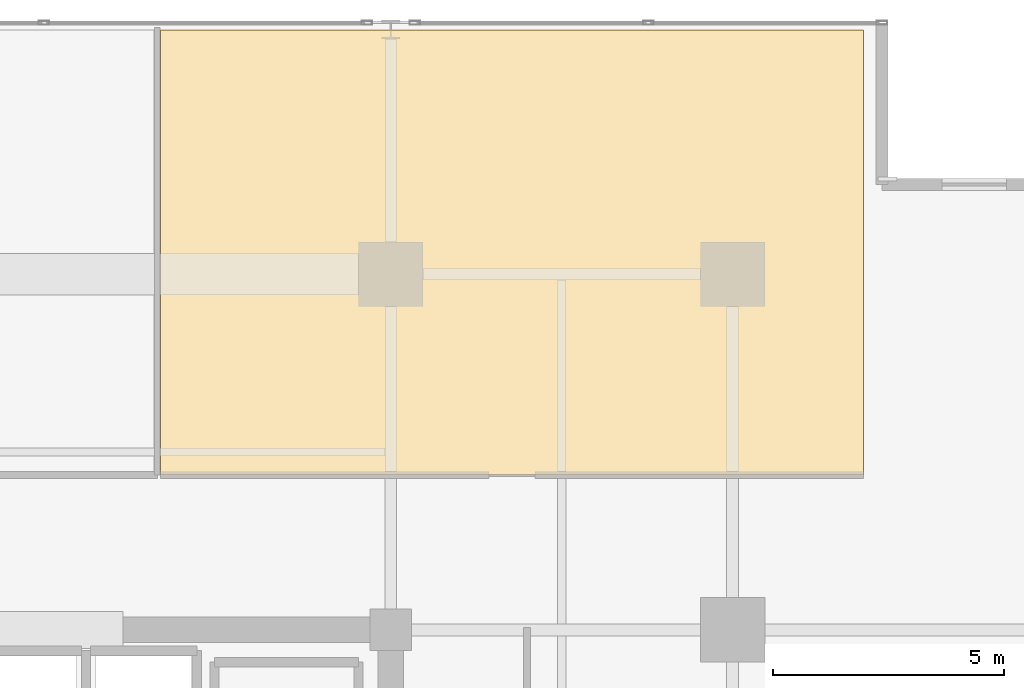
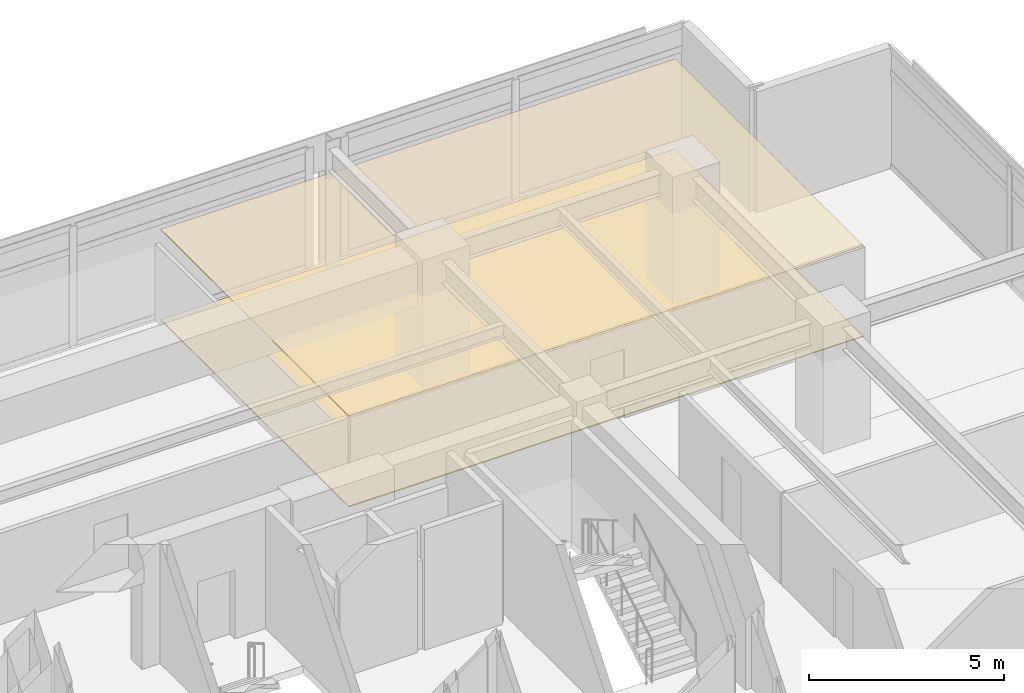
# One storey, part 23 of 23: 2 coverings.
"""IFC4 building model written with IfcOpenShell, lengths in metres."""

import ifcopenshell
import ifcopenshell.guid

model = None  # the IFC model being written
_history = None  # IfcOwnerHistory: only IFC2X3 demands one
_inside = {}  # id of a spatial element -> (the spatial element, [elements in it])
_under = {}  # id of a project, library or spatial element -> (it, [spatial elements below it])
_declared = {}  # id of a project -> (the project, [libraries it declares])
_typed = {}  # id of a type object -> (the type object, [elements of that type])
_made_of = {}  # id of a material, layer set ... -> (it, [elements and type objects made of it])


def new_model(schema):
    """Start an empty IFC model of exactly this schema.

    Asked for "IFC4X3", IfcOpenShell would pick the latest addendum, in which some entities
    have other attributes; the version numbers below select the first issue.
    IFC2X3 requires an IfcOwnerHistory on every rooted entity: one is made here for all.
    """
    global model, _history
    if schema == "IFC4X3":
        model = ifcopenshell.file(schema_version=(4, 3, 0, 0))
    else:
        model = ifcopenshell.file(schema=schema)
    _inside.clear()
    _under.clear()
    _declared.clear()
    _typed.clear()
    _made_of.clear()
    _history = None
    if model.schema == "IFC2X3":
        org = make("IfcOrganization", Name="unknown")
        user = make(
            "IfcPersonAndOrganization",
            ThePerson=make("IfcPerson", FamilyName="unknown"),
            TheOrganization=org,
        )
        app = make(
            "IfcApplication",
            ApplicationDeveloper=org,
            Version="unknown",
            ApplicationFullName="unknown",
            ApplicationIdentifier="unknown",
        )
        _history = make(
            "IfcOwnerHistory",
            OwningUser=user,
            OwningApplication=app,
            ChangeAction="ADDED",
            CreationDate=0,
        )
    return model


def make(cls, **values):
    """One entity of the class cls with the attributes given. An attribute that is None is left unset."""
    return model.create_entity(
        cls, **{name: value for name, value in values.items() if value is not None}
    )


def rooted(cls, **values):
    """An entity with a GlobalId (a new one), such as an element, a storey or a relation."""
    return make(cls, GlobalId=ifcopenshell.guid.new(), OwnerHistory=_history, **values)


def si_unit(unit_type, name, prefix=None):
    """IfcSIUnit, for example si_unit("LENGTHUNIT", "METRE", prefix="MILLI")."""
    return make("IfcSIUnit", UnitType=unit_type, Prefix=prefix, Name=name)


def assignment(units):
    """IfcUnitAssignment: the units of a project."""
    return None if units is None else make("IfcUnitAssignment", Units=units)


def point(xyz):
    """IfcCartesianPoint."""
    return None if xyz is None else make("IfcCartesianPoint", Coordinates=xyz)


def direction(xyz):
    """IfcDirection."""
    return None if xyz is None else make("IfcDirection", DirectionRatios=xyz)


def frame(location, z_axis=None, x_axis=None):
    """IfcAxis2Placement3D, a coordinate frame: its origin and axes. An axis left out is left unset."""
    return make(
        "IfcAxis2Placement3D",
        Location=point(location),
        Axis=direction(z_axis),
        RefDirection=direction(x_axis),
    )


def origin():
    """The frame at (0, 0, 0) with its axes left unset."""
    return frame((0.0, 0.0, 0.0))


def place(relative_to, where):
    """IfcLocalPlacement: puts the frame where relative to a parent placement (None: the world)."""
    return make(
        "IfcLocalPlacement", PlacementRelTo=relative_to, RelativePlacement=where
    )


def context(
    kind, dimensions, precision=None, world=None, true_north=None, identifier=None
):
    """IfcGeometricRepresentationContext, for example the 3D "Model" context."""
    return make(
        "IfcGeometricRepresentationContext",
        ContextIdentifier=identifier,
        ContextType=kind,
        CoordinateSpaceDimension=dimensions,
        Precision=precision,
        WorldCoordinateSystem=world,
        TrueNorth=true_north,
    )


def subcontext(parent, identifier, kind, view, scale=None):
    """IfcGeometricRepresentationSubContext, for example "Body" below "Model"."""
    return make(
        "IfcGeometricRepresentationSubContext",
        ContextIdentifier=identifier,
        ContextType=kind,
        ParentContext=parent,
        TargetScale=scale,
        TargetView=view,
    )


def project(units=None, contexts=None):
    """IfcProject with its units and contexts."""
    return rooted(
        "IfcProject",
        Name="project",
        RepresentationContexts=contexts,
        UnitsInContext=assignment(units),
    )


def spatial(cls, under=None, at=None, **own):
    """A site, building, storey or space (cls), placed at a placement, below another one or the project."""
    s = rooted(cls, ObjectPlacement=at, **own)
    if under is not None:
        _under.setdefault(under.id(), (under, []))[1].append(s)
    return s


def polyline(points):
    """IfcPolyline through the points."""
    return make("IfcPolyline", Points=[point(p) for p in points])


def outline(outer, holes=None, kind="AREA"):
    """IfcArbitraryClosedProfileDef: a profile drawn as a closed curve; with holes, ...WithVoids."""
    if holes is None:
        return make("IfcArbitraryClosedProfileDef", ProfileType=kind, OuterCurve=outer)
    return make(
        "IfcArbitraryProfileDefWithVoids",
        ProfileType=kind,
        OuterCurve=outer,
        InnerCurves=holes,
    )


def extrude(swept, where, along, depth):
    """IfcExtrudedAreaSolid: the profile swept, set in the frame where, extruded along a direction by depth."""
    return make(
        "IfcExtrudedAreaSolid",
        SweptArea=swept,
        Position=where,
        ExtrudedDirection=direction(along),
        Depth=depth,
    )


def shape(context_of_items, identifier, shape_type, items):
    """IfcShapeRepresentation: the items that make up one representation, for example the "Body"."""
    return make(
        "IfcShapeRepresentation",
        ContextOfItems=context_of_items,
        RepresentationIdentifier=identifier,
        RepresentationType=shape_type,
        Items=items,
    )


def material(Name=None, Category=None):
    """IfcMaterial."""
    return make("IfcMaterial", Name=Name, Category=Category)


def layer(
    of_material, thickness, ventilated=None, Name=None, Category=None, Priority=None
):
    """IfcMaterialLayer: one layer of a wall or slab, of a material (None: an air gap)."""
    return make(
        "IfcMaterialLayer",
        Material=of_material,
        LayerThickness=thickness,
        IsVentilated=ventilated,
        Name=Name,
        Category=Category,
        Priority=Priority,
    )


def layer_set(layers, Name=None):
    """IfcMaterialLayerSet."""
    return make("IfcMaterialLayerSet", MaterialLayers=layers, LayerSetName=Name)


def made_of(thing, what):
    """Note that an element or type object is made of a material, layer set ...; save() writes the relation."""
    if what is not None:
        _made_of.setdefault(what.id(), (what, []))[1].append(thing)
    return thing


def type_object(cls, material=None, **own):
    """A type object (cls), such as IfcWallType, which elements share."""
    return made_of(rooted(cls, **own), material)


def element(
    cls,
    number,
    at=None,
    inside=None,
    cuts=None,
    type_object=None,
    material=None,
    context=None,
    identifier="Body",
    shape_type=None,
    held_by="IfcProductDefinitionShape",
    body=None,
    shapes=None,
    **own,
):
    """One element of the class cls, such as IfcWall. Its Tag is "e" and its number.

    at: its placement. inside: the storey or other place that contains it. cuts: it is an
    opening in that element (IfcRelVoidsElement). A single representation is given by context,
    identifier, shape_type and body (its items); several are given by shapes. held_by: the class
    of the entity that holds the representations. save() writes the other relations.
    """
    e = rooted(cls, Tag="e%d" % number, ObjectPlacement=at, **own)
    if body is not None:
        shapes = [shape(context, identifier, shape_type, body)]
    if shapes is not None:
        e.Representation = make(held_by, Representations=shapes)
    if inside is not None:
        _inside.setdefault(inside.id(), (inside, []))[1].append(e)
    if cuts is not None:
        rooted(
            "IfcRelVoidsElement", RelatingBuildingElement=cuts, RelatedOpeningElement=e
        )
    if type_object is not None:
        _typed.setdefault(type_object.id(), (type_object, []))[1].append(e)
    return made_of(e, material)


def aggregate(whole, parts):
    """IfcRelAggregates: a whole, such as a stair, and the parts it consists of."""
    return rooted("IfcRelAggregates", RelatingObject=whole, RelatedObjects=parts)


def save(model, path):
    """Write the relations noted so far, then the file.

    IfcRelAggregates (storeys below a building ...), IfcRelContainedInSpatialStructure (elements
    in a storey), IfcRelDefinesByType, IfcRelAssociatesMaterial and IfcRelDeclares: one each for
    every whole, place, type object, material and project.
    """
    for whole, parts in _under.values():
        aggregate(whole, parts)
    for where, things in _inside.values():
        rooted(
            "IfcRelContainedInSpatialStructure",
            RelatedElements=things,
            RelatingStructure=where,
        )
    for kind, things in _typed.values():
        rooted("IfcRelDefinesByType", RelatedObjects=things, RelatingType=kind)
    for what, things in _made_of.values():
        rooted("IfcRelAssociatesMaterial", RelatedObjects=things, RelatingMaterial=what)
    for by, libraries in _declared.values():
        rooted("IfcRelDeclares", RelatingContext=by, RelatedDefinitions=libraries)
    model.write(path)


model = new_model("IFC4")

# Units and contexts
model_context = context("Model", 3, precision=1e-05, world=origin(), true_north=direction((0.0, 1.0)))
body_context = subcontext(model_context, "Body", "Model", "MODEL_VIEW")
ifc_project = project(units=[si_unit("LENGTHUNIT", "METRE"), si_unit("AREAUNIT", "SQUARE_METRE"), si_unit("VOLUMEUNIT", "CUBIC_METRE"), si_unit("PLANEANGLEUNIT", "RADIAN"), si_unit("MASSUNIT", "GRAM", prefix="KILO")], contexts=[model_context])

# Site, building, storey
site_placement = place(None, origin())
site = spatial("IfcSite", under=ifc_project, at=site_placement, CompositionType="ELEMENT")
building_placement = place(site_placement, origin())
building = spatial("IfcBuilding", under=site, at=building_placement, Name="Kovane Verandah Tower", CompositionType="ELEMENT")
storey_placement = place(building_placement, frame((0.0, 0.0, 221.199951171875)))
storey = spatial("IfcBuildingStorey", under=building, at=storey_placement, Name="L51", CompositionType="ELEMENT", Elevation=221.199951171875)

# Coverings
ifc_material_1 = material(Name="Perforated Acoustic Mineral-Fibre Ceiling Tile", Category="gypsum")
ifc_layer_1 = layer(ifc_material_1, 0.02490234375)
ifc_layer_set_1 = layer_set([ifc_layer_1], Name="Perforated Acoustic Mineral-Fibre Ceiling Tile")
covering_type_1 = type_object("IfcCoveringType", Name="CV-CEIL-25", PredefinedType="CEILING", material=ifc_layer_set_1)
covering_1_placement = place(storey_placement, frame((0.0, 0.0, 2.824951171875)))
element("IfcCovering", 1, at=covering_1_placement, inside=storey, type_object=covering_type_1, Name="L51 Focus Studio N3 Acoustic Ceiling", PredefinedType="CEILING", context=body_context, shape_type="SweptSolid", body=[
    extrude(outline(polyline([(46.014892578125, 39.85009765625), (61.231201171875, 39.85009765625), (61.231201171875, 49.490478515625), (46.014892578125, 49.490478515625), (46.014892578125, 39.85009765625)])), origin(), (0.0, 0.0, 1.0), 0.025146484375),
])
ifc_material_2 = material(Name="Polished Terrazzo and Raised-Access Carpet Tile Finish", Category="concrete")
ifc_layer_2 = layer(ifc_material_2, 0.030029296875)
ifc_layer_set_2 = layer_set([ifc_layer_2], Name="Polished Terrazzo and Raised-Access Carpet Tile Finish")
covering_type_2 = type_object("IfcCoveringType", Name="CV-FLOR-30", PredefinedType="FLOORING", material=ifc_layer_set_2)
covering_2_placement = place(storey_placement, origin())
element("IfcCovering", 2, at=covering_2_placement, inside=storey, type_object=covering_type_2, Name="L51 Focus Studio N3 Floor Finish", PredefinedType="FLOORING", context=body_context, shape_type="SweptSolid", body=[
    extrude(outline(polyline([(46.014892578125, 39.85009765625), (61.231201171875, 39.85009765625), (61.231201171875, 49.490478515625), (46.014892578125, 49.490478515625), (46.014892578125, 39.85009765625)])), origin(), (0.0, 0.0, 1.0), 0.030029296875),
])

save(model, "model.ifc")
